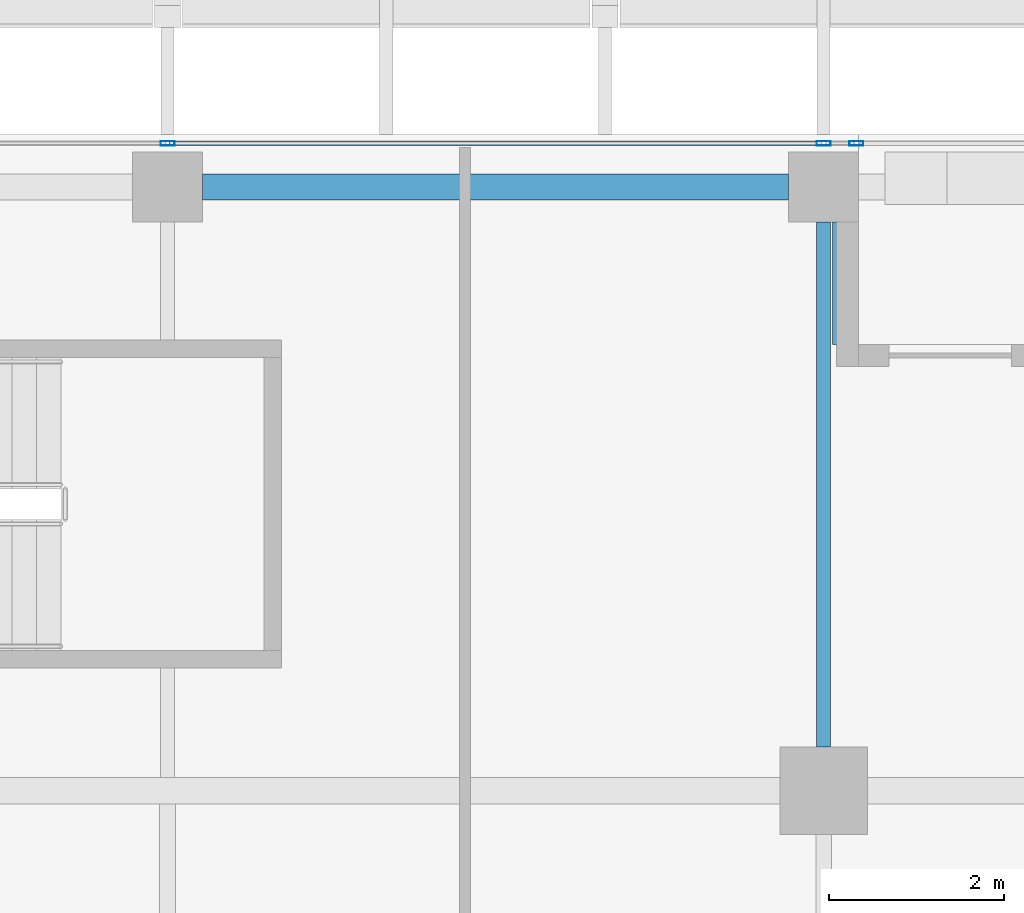
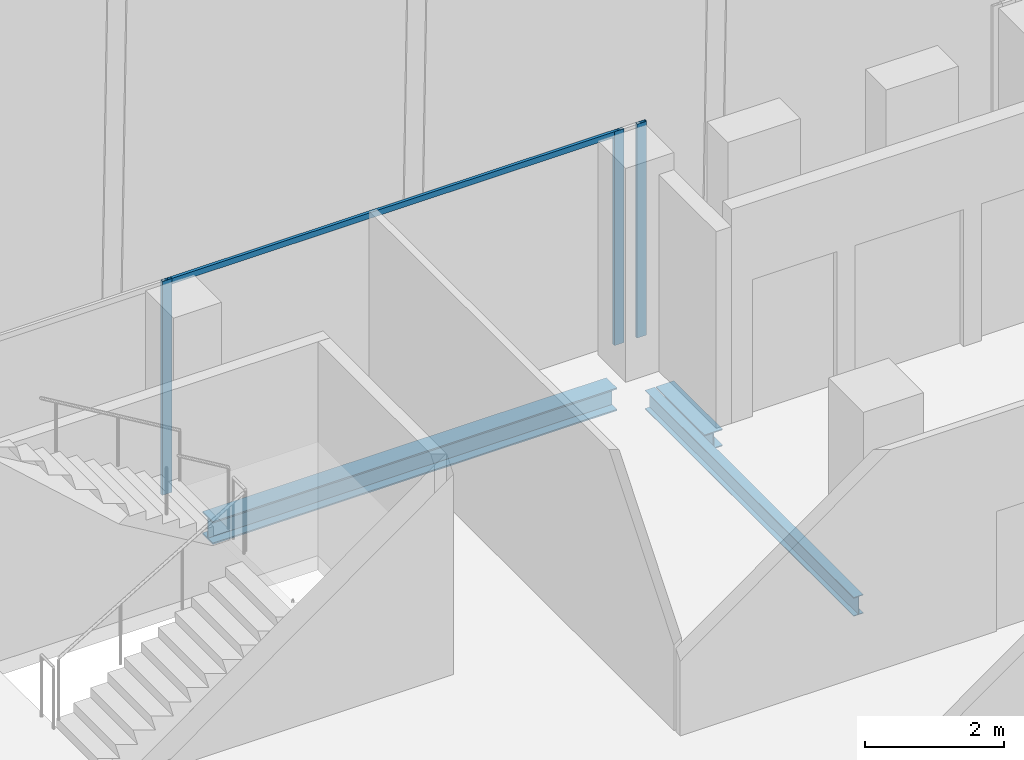
# One storey, part 16 of 32: 4 members, 3 beams, 1 element without a shape of its own.
"""IFC4 building model written with IfcOpenShell, lengths in metres."""

from ifc_helpers import new_model, si_unit, direction, frame, origin, origin_2d, place, context, subcontext, project, spatial, hollow_rectangle, i_section, extrude, source, transform, mapped, material, material_profile, profile_set, type_object, element, aggregate, save


model = new_model("IFC4")

# Units and contexts
model_context = context("Model", 3, precision=1e-05, world=origin(), true_north=direction((0.0, 1.0)))
body_context = subcontext(model_context, "Body", "Model", "MODEL_VIEW")
ifc_project = project(units=[si_unit("LENGTHUNIT", "METRE"), si_unit("AREAUNIT", "SQUARE_METRE"), si_unit("VOLUMEUNIT", "CUBIC_METRE"), si_unit("PLANEANGLEUNIT", "RADIAN"), si_unit("MASSUNIT", "GRAM", prefix="KILO")], contexts=[model_context])

# Site, building, storey
site_placement = place(None, origin())
site = spatial("IfcSite", under=ifc_project, at=site_placement, CompositionType="ELEMENT")
building_placement = place(site_placement, origin())
building = spatial("IfcBuilding", under=site, at=building_placement, Name="Khomas Fold Tower", CompositionType="ELEMENT")
storey_placement = place(building_placement, frame((0.0, 0.0, 318.199951171875)))
storey = spatial("IfcBuildingStorey", under=building, at=storey_placement, Name="L72", CompositionType="ELEMENT", Elevation=318.199951171875)

# Beams
ifc_material_1 = material(Name="Steel S355", Category="steel")
ifc_material_profile_1 = material_profile(ifc_material_1, i_section(OverallWidth=0.300048828125, OverallDepth=0.39990234375, WebThickness=0.013427734375, FlangeThickness=0.02392578125, at=origin_2d()), Name="HE 400 B")
ifc_profile_set_1 = profile_set([ifc_material_profile_1], Name="Steel S355")
beam_type_1 = type_object("IfcBeamType", Name="HE 400 B spandrel SB5", PredefinedType="SPANDREL", material=ifc_profile_set_1)
shared_shape_1 = source(origin(), body_context, "Body", "SweptSolid", [
    extrude(i_section(OverallWidth=0.300048828125, OverallDepth=0.39990234375, WebThickness=0.013427734375, FlangeThickness=0.02392578125, at=origin_2d()), origin(), (0.0, 0.0, 1.0), 6.7001953125),
])
beam_1_placement = place(storey_placement, frame((27.39990234375, 47.39990234375, -0.449951171875), z_axis=(1.0, 0.0, 0.0), x_axis=(0.0, 1.0, 0.0)))
element("IfcBeam", 1, at=beam_1_placement, inside=storey, type_object=beam_type_1, Name="SB5", PredefinedType="SPANDREL", context=body_context, shape_type="MappedRepresentation", body=[
    mapped(shared_shape_1, transform((0.0, 0.0, 0.0))),
])
ifc_material_2 = material(Name="Steel S355", Category="steel")
ifc_material_profile_2 = material_profile(ifc_material_2, i_section(OverallWidth=0.159912109375, OverallDepth=0.330078125, WebThickness=0.007568359375, FlangeThickness=0.011474609375, at=origin_2d()), Name="IPE 330")
ifc_profile_set_2 = profile_set([ifc_material_profile_2], Name="Steel S355")
beam_type_2 = type_object("IfcBeamType", Name="IPE 330 beam JB1", PredefinedType="BEAM", material=ifc_profile_set_2)
shared_shape_2 = source(origin(), body_context, "Body", "SweptSolid", [
    extrude(i_section(OverallWidth=0.159912109375, OverallDepth=0.330078125, WebThickness=0.007568359375, FlangeThickness=0.011474609375, at=origin_2d()), origin(), (0.0, 0.0, 1.0), 6.0),
])
beam_2_placement = place(storey_placement, frame((34.5, 41.0, -0.4150390625), z_axis=(0.0, 1.0, 0.0), x_axis=(-1.0, 0.0, 0.0)))
element("IfcBeam", 2, at=beam_2_placement, inside=storey, type_object=beam_type_2, Name="JB1", PredefinedType="BEAM", context=body_context, shape_type="MappedRepresentation", body=[
    mapped(shared_shape_2, transform((0.0, 0.0, 0.0))),
])
ifc_material_3 = material(Name="Steel S355", Category="steel")
ifc_material_profile_3 = material_profile(ifc_material_3, i_section(OverallWidth=0.300048828125, OverallDepth=0.300048828125, WebThickness=0.010986328125, FlangeThickness=0.01904296875, at=origin_2d()), Name="HE 300 B")
ifc_profile_set_3 = profile_set([ifc_material_profile_3], Name="Steel S355")
beam_type_3 = type_object("IfcBeamType", Name="HE 300 B beam BB1", PredefinedType="BEAM", material=ifc_profile_set_3)
shared_shape_3 = source(origin(), body_context, "Body", "SweptSolid", [
    extrude(i_section(OverallWidth=0.300048828125, OverallDepth=0.300048828125, WebThickness=0.010986328125, FlangeThickness=0.01904296875, at=origin_2d()), origin(), (0.0, 0.0, 1.0), 1.39990234375),
])
beam_3_placement = place(storey_placement, frame((34.75, 45.60009765625, -0.39990234375), z_axis=(0.0, 1.0, 0.0), x_axis=(-1.0, 0.0, 0.0)))
element("IfcBeam", 3, at=beam_3_placement, inside=storey, type_object=beam_type_3, Name="BB1", PredefinedType="BEAM", context=body_context, shape_type="MappedRepresentation", body=[
    mapped(shared_shape_3, transform((0.0, 0.0, 0.0))),
])

# Curtain wall, members
ifc_material_4 = material(Name="Aluminium framed double glazing", Category="aluminium")
curtain_wall_type = type_object("IfcCurtainWallType", Name="SK-Unitised clear-glass wall, upper floors CW3", PredefinedType="NOTDEFINED", material=ifc_material_4)
curtain_wall_placement = place(storey_placement, origin())
curtain_wall = element("IfcCurtainWall", 4, at=curtain_wall_placement, inside=storey, type_object=curtain_wall_type, Name="CW3 run L72 06-1", PredefinedType="NOTDEFINED")
ifc_material_5 = material(Name="Aluminium", Category="aluminium")
ifc_material_profile_4 = material_profile(ifc_material_5, hollow_rectangle(XDim=0.050048828125, YDim=0.159912109375, WallThickness=0.00390625, at=origin_2d()), Name="SK-Unitised clear-glass wall, upper floors mullion CW3-M")
ifc_profile_set_4 = profile_set([ifc_material_profile_4], Name="Aluminium")
member_type_1 = type_object("IfcMemberType", Name="SK-Unitised clear-glass wall, upper floors mullion CW3-M", PredefinedType="MULLION", material=ifc_profile_set_4)
shared_shape_4 = source(origin(), body_context, "Body", "SweptSolid", [
    extrude(hollow_rectangle(XDim=0.050048828125, YDim=0.159912109375, WallThickness=0.00390625, at=origin_2d()), origin(), (0.0, 0.0, 1.0), 3.75),
])
member_1_placement = place(storey_placement, frame((34.875, 47.89990234375, 0.0), z_axis=(0.0, 0.0, 1.0), x_axis=(0.0, -1.0, 0.0)))
member_1 = element("IfcMember", 5, at=member_1_placement, type_object=member_type_1, Name="CW3 mullion 1", PredefinedType="MULLION", context=body_context, shape_type="MappedRepresentation", body=[
    mapped(shared_shape_4, transform((0.0, 0.0, 0.0))),
])
member_2_placement = place(storey_placement, frame((34.5, 47.89990234375, 0.0), z_axis=(0.0, 0.0, 1.0), x_axis=(0.0, -1.0, 0.0)))
member_2 = element("IfcMember", 6, at=member_2_placement, type_object=member_type_1, Name="CW3 mullion 2", PredefinedType="MULLION", context=body_context, shape_type="MappedRepresentation", body=[
    mapped(shared_shape_4, transform((0.0, 0.0, 0.0))),
])
member_3_placement = place(storey_placement, frame((27.0, 47.89990234375, 0.0), z_axis=(0.0, 0.0, 1.0), x_axis=(0.0, -1.0, 0.0)))
member_3 = element("IfcMember", 7, at=member_3_placement, type_object=member_type_1, Name="CW3 mullion 3", PredefinedType="MULLION", context=body_context, shape_type="MappedRepresentation", body=[
    mapped(shared_shape_4, transform((0.0, 0.0, 0.0))),
])
ifc_material_6 = material(Name="Aluminium", Category="aluminium")
ifc_material_profile_5 = material_profile(ifc_material_6, hollow_rectangle(XDim=0.050048828125, YDim=0.10009765625, WallThickness=0.00390625, at=origin_2d()), Name="SK-Unitised clear-glass wall, upper floors transom CW3-T")
ifc_profile_set_5 = profile_set([ifc_material_profile_5], Name="Aluminium")
member_type_2 = type_object("IfcMemberType", Name="SK-Unitised clear-glass wall, upper floors transom CW3-T", PredefinedType="USERDEFINED", material=ifc_profile_set_5)
shared_shape_5 = source(origin(), body_context, "Body", "SweptSolid", [
    extrude(hollow_rectangle(XDim=0.050048828125, YDim=0.10009765625, WallThickness=0.00390625, at=origin_2d()), origin(), (0.0, 0.0, 1.0), 7.4501953125),
])
member_4_placement = place(storey_placement, frame((34.47509765625, 47.89990234375, 3.699951171875), z_axis=(-1.0, 0.0, 0.0), x_axis=(0.0, -1.0, 0.0)))
member_4 = element("IfcMember", 8, at=member_4_placement, type_object=member_type_2, Name="CW3 transom 2", ObjectType="TRANSOM", PredefinedType="USERDEFINED", context=body_context, shape_type="MappedRepresentation", body=[
    mapped(shared_shape_5, transform((0.0, 0.0, 0.0))),
])
aggregate(curtain_wall, [member_1, member_2, member_3, member_4])

save(model, "model.ifc")
